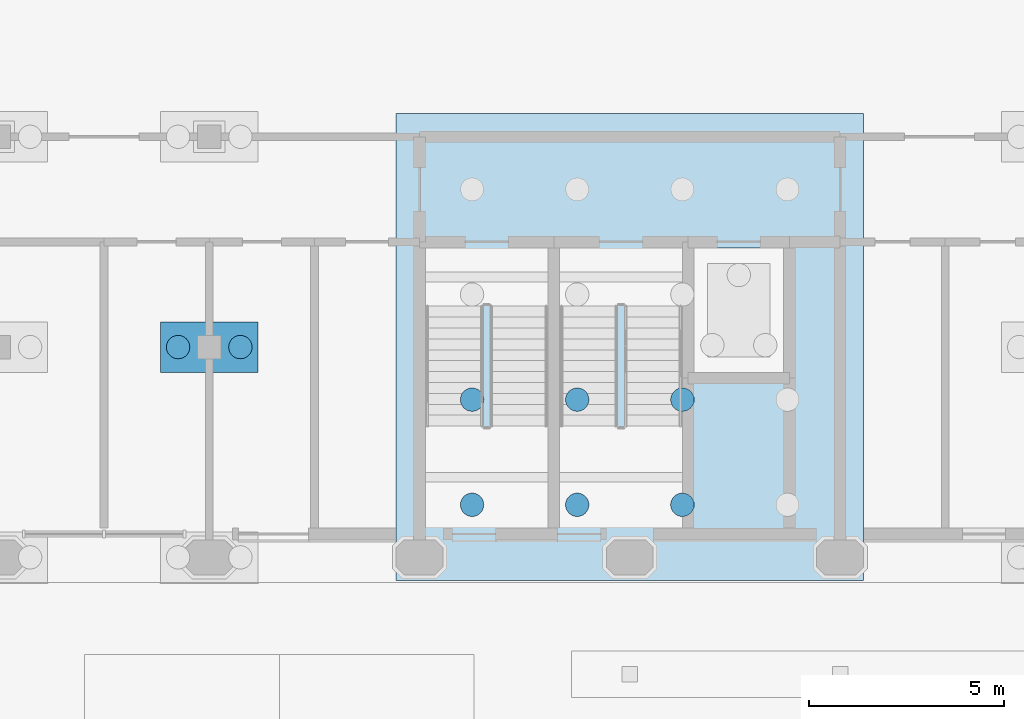
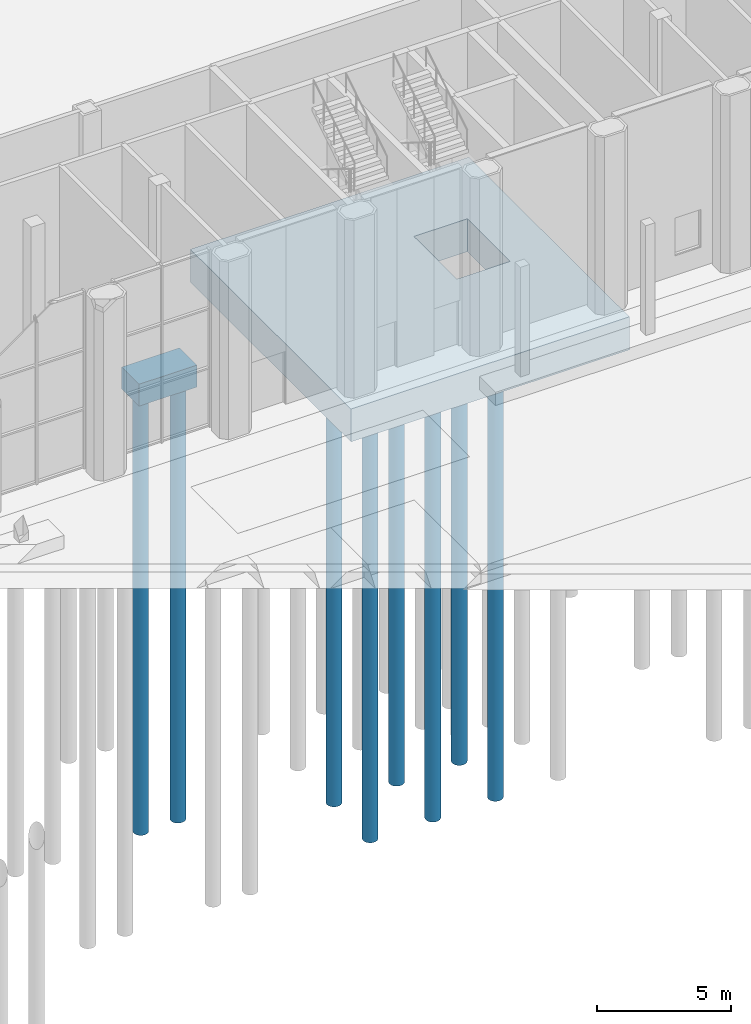
# One storey, part 2 of 54: 8 piles, 2 footings.
"""IFC4 building model written with IfcOpenShell, lengths in metres."""

from ifc_helpers import new_model, si_unit, direction, frame, origin, origin_2d, place, context, subcontext, project, spatial, polyline, rectangle, circle, outline, extrude, material, material_profile, profile_set, type_object, element, save


model = new_model("IFC4")

# Units and contexts
model_context = context("Model", 3, precision=1e-05, world=origin(), true_north=direction((0.0, 1.0)))
body_context = subcontext(model_context, "Body", "Model", "MODEL_VIEW")
ifc_project = project(units=[si_unit("LENGTHUNIT", "METRE"), si_unit("AREAUNIT", "SQUARE_METRE"), si_unit("VOLUMEUNIT", "CUBIC_METRE"), si_unit("PLANEANGLEUNIT", "RADIAN"), si_unit("MASSUNIT", "GRAM", prefix="KILO")], contexts=[model_context])

# Site, building, storey
site_placement = place(None, origin())
site = spatial("IfcSite", under=ifc_project, at=site_placement, CompositionType="ELEMENT")
building_placement = place(site_placement, origin())
building = spatial("IfcBuilding", under=site, at=building_placement, Name="Tabaq Tower and Sports Hall", CompositionType="ELEMENT")
storey_placement = place(building_placement, origin())
storey = spatial("IfcBuildingStorey", under=building, at=storey_placement, Name="L00", CompositionType="ELEMENT", Elevation=0.0)

# Piles
ifc_material_1 = material(Name="Concrete C40/50 sulphate-resisting", Category="concrete")
ifc_material_profile = material_profile(ifc_material_1, circle(Radius=0.300048828125, at=origin_2d()), Name="D600")
ifc_profile_set = profile_set([ifc_material_profile], Name="Concrete C40/50 sulphate-resisting")
pile_type = type_object("IfcPileType", Name="HALL BORED PILE D600", PredefinedType="BORED", material=ifc_profile_set)
for number, where, z_axis, x_axis, name in (
    (1, (96.39990234375, 5.39990234375, -1.300048828125), (0.0, 0.0, -1.0), (1.0, 0.0, 0.0), "Bored pile 19B-1"),
    (2, (98.0, 5.39990234375, -1.300048828125), (0.0, 0.0, -1.0), (1.0, 0.0, 0.0), "Bored pile 19B-2"),
    (3, (103.949951171875, 1.35009765625, -1.824951171875), (0.0, 0.0, -1.0), (1.0, 0.0, 0.0), "Core B bored pile 1"),
    (4, (103.949951171875, 4.050048828125, -1.824951171875), (0.0, 0.0, -1.0), (1.0, 0.0, 0.0), "Core B bored pile 2"),
    (5, (106.64990234375, 1.35009765625, -1.824951171875), (0.0, 0.0, -1.0), (1.0, 0.0, 0.0), "Core B bored pile 5"),
    (6, (106.64990234375, 4.050048828125, -1.824951171875), (0.0, 0.0, -1.0), (1.0, 0.0, 0.0), "Core B bored pile 6"),
    (7, (109.35009765625, 1.35009765625, -1.824951171875), (0.0, 0.0, -1.0), (1.0, 0.0, 0.0), "Core B bored pile 9"),
    (8, (109.35009765625, 4.050048828125, -1.824951171875), (0.0, 0.0, -1.0), (1.0, 0.0, 0.0), "Core B bored pile 10"),
):
    element("IfcPile", number, at=place(storey_placement, frame(where, z_axis=z_axis, x_axis=x_axis)), inside=storey, type_object=pile_type, Name=name, PredefinedType="BORED", context=body_context, shape_type="SweptSolid", body=[
        extrude(circle(Radius=0.300048828125, at=origin_2d()), origin(), (0.0, 0.0, 1.0), 20.0),
    ])

# Footings
ifc_material_2 = material(Name="Concrete C40/50 sulphate-resisting", Category="concrete")
footing_type_1 = type_object("IfcFootingType", Name="HALL CORE RAFT 1500 C40/50", PredefinedType="PILE_CAP", material=ifc_material_2)
footing_1_placement = place(storey_placement, frame((0.0, 0.0, -1.89990234375)))
element("IfcFooting", 9, at=footing_1_placement, inside=storey, type_object=footing_type_1, Name="Core B raft", PredefinedType="PILE_CAP", context=body_context, shape_type="SweptSolid", body=[
    extrude(outline(polyline([(102.0, -0.60009765625), (114.0, -0.60009765625), (114.0, 11.39990234375), (102.0, 11.39990234375), (102.0, -0.60009765625)]), holes=[polyline([(109.64990234375, 4.75), (111.949951171875, 4.75), (111.949951171875, 7.949951171875), (109.64990234375, 7.949951171875), (109.64990234375, 4.75)])]), origin(), (0.0, 0.0, 1.0), 1.5),
])
ifc_material_3 = material(Name="Concrete C40/50 sulphate-resisting", Category="concrete")
footing_type_2 = type_object("IfcFootingType", Name="HALL PILE CAP 2500x1300x1000", PredefinedType="PILE_CAP", material=ifc_material_3)
footing_2_placement = place(storey_placement, frame((97.199951171875, 5.39990234375, -1.39990234375), z_axis=(0.0, 0.0, 1.0), x_axis=(1.0, 0.0, 0.0)))
element("IfcFooting", 10, at=footing_2_placement, inside=storey, type_object=footing_type_2, Name="Pile cap 19B", PredefinedType="PILE_CAP", context=body_context, shape_type="SweptSolid", body=[
    extrude(rectangle(XDim=2.5, YDim=1.300048828125, at=origin_2d()), origin(), (0.0, 0.0, 1.0), 1.0),
])

save(model, "model.ifc")
